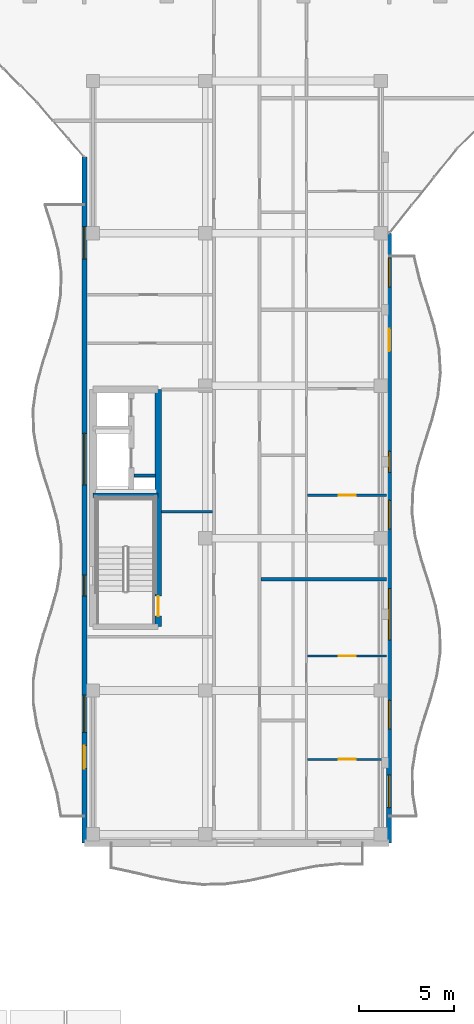
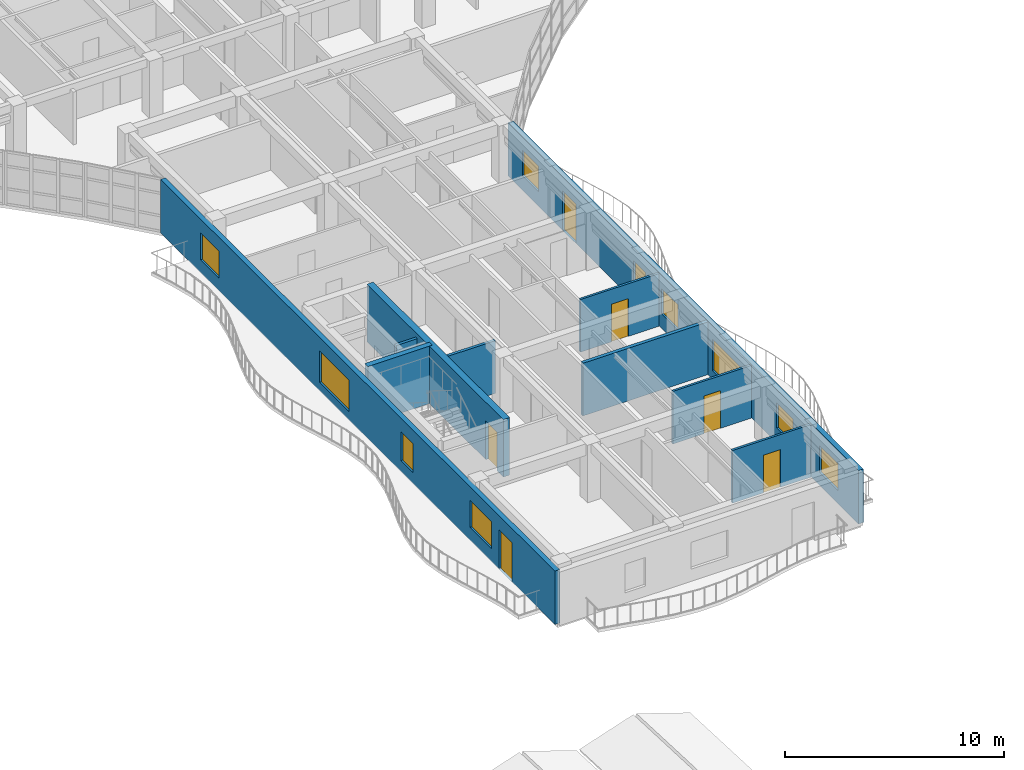
# One storey, part 48 of 89: 10 walls, 10 windows, 6 doors, 16 openings.
"""IFC4 building model written with IfcOpenShell, lengths in metres."""

import ifcopenshell
import ifcopenshell.guid

model = None  # the IFC model being written
_history = None  # IfcOwnerHistory: only IFC2X3 demands one
_inside = {}  # id of a spatial element -> (the spatial element, [elements in it])
_under = {}  # id of a project, library or spatial element -> (it, [spatial elements below it])
_declared = {}  # id of a project -> (the project, [libraries it declares])
_typed = {}  # id of a type object -> (the type object, [elements of that type])
_made_of = {}  # id of a material, layer set ... -> (it, [elements and type objects made of it])


def new_model(schema):
    """Start an empty IFC model of exactly this schema.

    Asked for "IFC4X3", IfcOpenShell would pick the latest addendum, in which some entities
    have other attributes; the version numbers below select the first issue.
    IFC2X3 requires an IfcOwnerHistory on every rooted entity: one is made here for all.
    """
    global model, _history
    if schema == "IFC4X3":
        model = ifcopenshell.file(schema_version=(4, 3, 0, 0))
    else:
        model = ifcopenshell.file(schema=schema)
    _inside.clear()
    _under.clear()
    _declared.clear()
    _typed.clear()
    _made_of.clear()
    _history = None
    if model.schema == "IFC2X3":
        org = make("IfcOrganization", Name="unknown")
        user = make(
            "IfcPersonAndOrganization",
            ThePerson=make("IfcPerson", FamilyName="unknown"),
            TheOrganization=org,
        )
        app = make(
            "IfcApplication",
            ApplicationDeveloper=org,
            Version="unknown",
            ApplicationFullName="unknown",
            ApplicationIdentifier="unknown",
        )
        _history = make(
            "IfcOwnerHistory",
            OwningUser=user,
            OwningApplication=app,
            ChangeAction="ADDED",
            CreationDate=0,
        )
    return model


def make(cls, **values):
    """One entity of the class cls with the attributes given. An attribute that is None is left unset."""
    return model.create_entity(
        cls, **{name: value for name, value in values.items() if value is not None}
    )


def rooted(cls, **values):
    """An entity with a GlobalId (a new one), such as an element, a storey or a relation."""
    return make(cls, GlobalId=ifcopenshell.guid.new(), OwnerHistory=_history, **values)


def si_unit(unit_type, name, prefix=None):
    """IfcSIUnit, for example si_unit("LENGTHUNIT", "METRE", prefix="MILLI")."""
    return make("IfcSIUnit", UnitType=unit_type, Prefix=prefix, Name=name)


def assignment(units):
    """IfcUnitAssignment: the units of a project."""
    return None if units is None else make("IfcUnitAssignment", Units=units)


def point(xyz):
    """IfcCartesianPoint."""
    return None if xyz is None else make("IfcCartesianPoint", Coordinates=xyz)


def direction(xyz):
    """IfcDirection."""
    return None if xyz is None else make("IfcDirection", DirectionRatios=xyz)


def frame(location, z_axis=None, x_axis=None):
    """IfcAxis2Placement3D, a coordinate frame: its origin and axes. An axis left out is left unset."""
    return make(
        "IfcAxis2Placement3D",
        Location=point(location),
        Axis=direction(z_axis),
        RefDirection=direction(x_axis),
    )


def frame_2d(location, x_axis=None):
    """IfcAxis2Placement2D, a coordinate frame in the plane: its origin and x axis."""
    return make(
        "IfcAxis2Placement2D", Location=point(location), RefDirection=direction(x_axis)
    )


def origin():
    """The frame at (0, 0, 0) with its axes left unset."""
    return frame((0.0, 0.0, 0.0))


def place(relative_to, where):
    """IfcLocalPlacement: puts the frame where relative to a parent placement (None: the world)."""
    return make(
        "IfcLocalPlacement", PlacementRelTo=relative_to, RelativePlacement=where
    )


def context(
    kind, dimensions, precision=None, world=None, true_north=None, identifier=None
):
    """IfcGeometricRepresentationContext, for example the 3D "Model" context."""
    return make(
        "IfcGeometricRepresentationContext",
        ContextIdentifier=identifier,
        ContextType=kind,
        CoordinateSpaceDimension=dimensions,
        Precision=precision,
        WorldCoordinateSystem=world,
        TrueNorth=true_north,
    )


def subcontext(parent, identifier, kind, view, scale=None):
    """IfcGeometricRepresentationSubContext, for example "Body" below "Model"."""
    return make(
        "IfcGeometricRepresentationSubContext",
        ContextIdentifier=identifier,
        ContextType=kind,
        ParentContext=parent,
        TargetScale=scale,
        TargetView=view,
    )


def project(units=None, contexts=None):
    """IfcProject with its units and contexts."""
    return rooted(
        "IfcProject",
        Name="project",
        RepresentationContexts=contexts,
        UnitsInContext=assignment(units),
    )


def spatial(cls, under=None, at=None, **own):
    """A site, building, storey or space (cls), placed at a placement, below another one or the project."""
    s = rooted(cls, ObjectPlacement=at, **own)
    if under is not None:
        _under.setdefault(under.id(), (under, []))[1].append(s)
    return s


def profile(cls, at=None, kind="AREA", **sizes):
    """A parametric profile (cls). Its sizes go by their IFC names, for example OverallWidth=200.0."""
    return make(cls, ProfileType=kind, Position=at, **sizes)


def rectangle(**sizes):
    """IfcRectangleProfileDef."""
    return profile("IfcRectangleProfileDef", **sizes)


def extrude(swept, where, along, depth):
    """IfcExtrudedAreaSolid: the profile swept, set in the frame where, extruded along a direction by depth."""
    return make(
        "IfcExtrudedAreaSolid",
        SweptArea=swept,
        Position=where,
        ExtrudedDirection=direction(along),
        Depth=depth,
    )


def shape(context_of_items, identifier, shape_type, items):
    """IfcShapeRepresentation: the items that make up one representation, for example the "Body"."""
    return make(
        "IfcShapeRepresentation",
        ContextOfItems=context_of_items,
        RepresentationIdentifier=identifier,
        RepresentationType=shape_type,
        Items=items,
    )


def material(Name=None, Category=None):
    """IfcMaterial."""
    return make("IfcMaterial", Name=Name, Category=Category)


def layer(
    of_material, thickness, ventilated=None, Name=None, Category=None, Priority=None
):
    """IfcMaterialLayer: one layer of a wall or slab, of a material (None: an air gap)."""
    return make(
        "IfcMaterialLayer",
        Material=of_material,
        LayerThickness=thickness,
        IsVentilated=ventilated,
        Name=Name,
        Category=Category,
        Priority=Priority,
    )


def layer_set(layers, Name=None):
    """IfcMaterialLayerSet."""
    return make("IfcMaterialLayerSet", MaterialLayers=layers, LayerSetName=Name)


def made_of(thing, what):
    """Note that an element or type object is made of a material, layer set ...; save() writes the relation."""
    if what is not None:
        _made_of.setdefault(what.id(), (what, []))[1].append(thing)
    return thing


def type_object(cls, material=None, **own):
    """A type object (cls), such as IfcWallType, which elements share."""
    return made_of(rooted(cls, **own), material)


def element(
    cls,
    number,
    at=None,
    inside=None,
    cuts=None,
    type_object=None,
    material=None,
    context=None,
    identifier="Body",
    shape_type=None,
    held_by="IfcProductDefinitionShape",
    body=None,
    shapes=None,
    **own,
):
    """One element of the class cls, such as IfcWall. Its Tag is "e" and its number.

    at: its placement. inside: the storey or other place that contains it. cuts: it is an
    opening in that element (IfcRelVoidsElement). A single representation is given by context,
    identifier, shape_type and body (its items); several are given by shapes. held_by: the class
    of the entity that holds the representations. save() writes the other relations.
    """
    e = rooted(cls, Tag="e%d" % number, ObjectPlacement=at, **own)
    if body is not None:
        shapes = [shape(context, identifier, shape_type, body)]
    if shapes is not None:
        e.Representation = make(held_by, Representations=shapes)
    if inside is not None:
        _inside.setdefault(inside.id(), (inside, []))[1].append(e)
    if cuts is not None:
        rooted(
            "IfcRelVoidsElement", RelatingBuildingElement=cuts, RelatedOpeningElement=e
        )
    if type_object is not None:
        _typed.setdefault(type_object.id(), (type_object, []))[1].append(e)
    return made_of(e, material)


def fill(opening, filler):
    """IfcRelFillsElement: the door or window that sits in an opening."""
    return rooted(
        "IfcRelFillsElement",
        RelatingOpeningElement=opening,
        RelatedBuildingElement=filler,
    )


def aggregate(whole, parts):
    """IfcRelAggregates: a whole, such as a stair, and the parts it consists of."""
    return rooted("IfcRelAggregates", RelatingObject=whole, RelatedObjects=parts)


def save(model, path):
    """Write the relations noted so far, then the file.

    IfcRelAggregates (storeys below a building ...), IfcRelContainedInSpatialStructure (elements
    in a storey), IfcRelDefinesByType, IfcRelAssociatesMaterial and IfcRelDeclares: one each for
    every whole, place, type object, material and project.
    """
    for whole, parts in _under.values():
        aggregate(whole, parts)
    for where, things in _inside.values():
        rooted(
            "IfcRelContainedInSpatialStructure",
            RelatedElements=things,
            RelatingStructure=where,
        )
    for kind, things in _typed.values():
        rooted("IfcRelDefinesByType", RelatedObjects=things, RelatingType=kind)
    for what, things in _made_of.values():
        rooted("IfcRelAssociatesMaterial", RelatedObjects=things, RelatingMaterial=what)
    for by, libraries in _declared.values():
        rooted("IfcRelDeclares", RelatingContext=by, RelatedDefinitions=libraries)
    model.write(path)


model = new_model("IFC4")

# Units and contexts
model_context = context("Model", 3, precision=1e-05, world=origin(), true_north=direction((0.0, 1.0)))
body_context = subcontext(model_context, "Body", "Model", "MODEL_VIEW")
ifc_project = project(units=[si_unit("LENGTHUNIT", "METRE"), si_unit("AREAUNIT", "SQUARE_METRE"), si_unit("VOLUMEUNIT", "CUBIC_METRE"), si_unit("PLANEANGLEUNIT", "RADIAN"), si_unit("MASSUNIT", "GRAM", prefix="KILO")], contexts=[model_context])

# Site, building, storey
site_placement = place(None, origin())
site = spatial("IfcSite", under=ifc_project, at=site_placement, CompositionType="ELEMENT")
building_placement = place(site_placement, origin())
building = spatial("IfcBuilding", under=site, at=building_placement, Name="Keldmere Railside Commons", CompositionType="ELEMENT")
storey_placement = place(building_placement, frame((0.0, 0.0, 7.360107421875)))
storey = spatial("IfcBuildingStorey", under=building, at=storey_placement, Name="L02", CompositionType="ELEMENT", Elevation=7.360107421875)

# Wall
ifc_material_1 = material(Name="Acoustic Gypsum Board Partition", Category="gypsum")
ifc_layer_1 = layer(ifc_material_1, 0.179931640625, Name="Acoustic Demising Partition 180")
ifc_layer_set_1 = layer_set([ifc_layer_1], Name="Acoustic Gypsum Board Partition")
wall_type_1 = type_object("IfcWallType", Name="Acoustic Demising Partition 180", PredefinedType="PARTITIONING", material=ifc_layer_set_1)
wall_1_placement = place(storey_placement, frame((113.280029296875, 69.830078125, 0.0), z_axis=(0.0, 0.0, 1.0), x_axis=(1.0, 0.0, 0.0)))
element("IfcWall", 1, at=wall_1_placement, inside=storey, type_object=wall_type_1, Name="IW-1 IW-L02-0974", PredefinedType="PARTITIONING", context=body_context, shape_type="SweptSolid", body=[
    extrude(rectangle(XDim=6.590087890625, YDim=0.179931640625, at=frame_2d((3.294921875, 0.0))), origin(), (0.0, 0.0, 1.0), 2.934814453125),
])

# Wall, opening, door
ifc_layer_2 = layer(ifc_material_1, 0.1201171875, Name="Apartment Interior Partition 120")
ifc_layer_set_2 = layer_set([ifc_layer_2], Name="Acoustic Gypsum Board Partition")
wall_type_2 = type_object("IfcWallType", Name="Apartment Interior Partition 120", PredefinedType="PARTITIONING", material=ifc_layer_set_2)
wall_2_placement = place(storey_placement, frame((115.719970703125, 60.3798828125, 0.0), z_axis=(0.0, 0.0, 1.0), x_axis=(1.0, 0.0, 0.0)))
wall_2 = element("IfcWall", 2, at=wall_2_placement, inside=storey, type_object=wall_type_2, Name="IW-4 IW-L02-0979", PredefinedType="PARTITIONING", context=body_context, shape_type="SweptSolid", body=[
    extrude(rectangle(XDim=4.150146484375, YDim=0.1201171875, at=frame_2d((2.0751953125, 0.0))), origin(), (0.0, 0.0, 1.0), 2.934814453125),
])
opening_1_placement = place(wall_2_placement, frame((1.625, 0.0, 0.0)))
opening_1 = element("IfcOpeningElement", 3, at=opening_1_placement, cuts=wall_2, Name="Opening ID-01", PredefinedType="OPENING", context=body_context, shape_type="SweptSolid", body=[
    extrude(rectangle(XDim=0.89990234375, YDim=2.10009765625, at=frame_2d((0.449951171875, 1.050048828125))), frame((0.0, 0.070068359375, 0.0), z_axis=(0.0, -1.0, 0.0), x_axis=(1.0, 0.0, 0.0)), (0.0, 0.0, 1.0), 0.14013671875),
])
ifc_material_2 = material(Name="Engineered Oak Timber", Category="wood")
door_type_1 = type_object("IfcDoorType", Name="Primary Bedroom Door 900x2100", OperationType="NOTDEFINED", PredefinedType="DOOR", material=ifc_material_2)
door_1_placement = place(opening_1_placement, origin())
door_1 = element("IfcDoor", 4, at=door_1_placement, inside=storey, type_object=door_type_1, Name="ID-01 IDR-L02-0846", OperationType="SINGLE_SWING_RIGHT", OverallHeight=2.10009765625, OverallWidth=0.89990234375, PredefinedType="DOOR", context=body_context, shape_type="SweptSolid", body=[
    extrude(rectangle(XDim=0.89990234375, YDim=2.10009765625, at=frame_2d((0.449951171875, 1.050048828125))), frame((0.0, 0.02490234375, 0.0), z_axis=(0.0, -1.0, 0.0), x_axis=(1.0, 0.0, 0.0)), (0.0, 0.0, 1.0), 0.050048828125),
])
fill(opening_1, door_1)

wall_3_placement = place(storey_placement, frame((115.719970703125, 65.81005859375, 0.0), z_axis=(0.0, 0.0, 1.0), x_axis=(1.0, 0.0, 0.0)))
wall_3 = element("IfcWall", 5, at=wall_3_placement, inside=storey, type_object=wall_type_2, Name="IW-4 IW-L02-0980", PredefinedType="PARTITIONING", context=body_context, shape_type="SweptSolid", body=[
    extrude(rectangle(XDim=4.150146484375, YDim=0.1201171875, at=frame_2d((2.0751953125, 0.0))), origin(), (0.0, 0.0, 1.0), 2.934814453125),
])
opening_2_placement = place(wall_3_placement, frame((1.635009765625, 0.0, 0.0)))
opening_2 = element("IfcOpeningElement", 6, at=opening_2_placement, cuts=wall_3, Name="Opening ID-02", PredefinedType="OPENING", context=body_context, shape_type="SweptSolid", body=[
    extrude(rectangle(XDim=0.8798828125, YDim=2.10009765625, at=frame_2d((0.43994140625, 1.050048828125))), frame((0.0, 0.070068359375, 0.0), z_axis=(0.0, -1.0, 0.0), x_axis=(1.0, 0.0, 0.0)), (0.0, 0.0, 1.0), 0.14013671875),
])
door_type_2 = type_object("IfcDoorType", Name="Secondary Bedroom Door 880x2100", OperationType="NOTDEFINED", PredefinedType="DOOR", material=ifc_material_2)
door_2_placement = place(opening_2_placement, origin())
door_2 = element("IfcDoor", 7, at=door_2_placement, inside=storey, type_object=door_type_2, Name="ID-02 IDR-L02-0847", OperationType="SINGLE_SWING_LEFT", OverallHeight=2.10009765625, OverallWidth=0.8798828125, PredefinedType="DOOR", context=body_context, shape_type="SweptSolid", body=[
    extrude(rectangle(XDim=0.8798828125, YDim=2.10009765625, at=frame_2d((0.43994140625, 1.050048828125))), frame((0.0, 0.02490234375, 0.0), z_axis=(0.0, -1.0, 0.0), x_axis=(1.0, 0.0, 0.0)), (0.0, 0.0, 1.0), 0.050048828125),
])
fill(opening_2, door_2)

wall_4_placement = place(storey_placement, frame((115.719970703125, 74.25, 0.0), z_axis=(0.0, 0.0, 1.0), x_axis=(1.0, 0.0, 0.0)))
wall_4 = element("IfcWall", 8, at=wall_4_placement, inside=storey, type_object=wall_type_2, Name="IW-4 IW-L02-0983", PredefinedType="PARTITIONING", context=body_context, shape_type="SweptSolid", body=[
    extrude(rectangle(XDim=4.150146484375, YDim=0.1201171875, at=frame_2d((2.0751953125, 0.0))), origin(), (0.0, 0.0, 1.0), 2.934814453125),
])
opening_3_placement = place(wall_4_placement, frame((1.625, 0.0, 0.0)))
opening_3 = element("IfcOpeningElement", 9, at=opening_3_placement, cuts=wall_4, Name="Opening ID-01", PredefinedType="OPENING", context=body_context, shape_type="SweptSolid", body=[
    extrude(rectangle(XDim=0.89990234375, YDim=2.10009765625, at=frame_2d((0.449951171875, 1.050048828125))), frame((0.0, 0.070068359375, 0.0), z_axis=(0.0, -1.0, 0.0), x_axis=(1.0, 0.0, 0.0)), (0.0, 0.0, 1.0), 0.14013671875),
])
door_3_placement = place(opening_3_placement, origin())
door_3 = element("IfcDoor", 10, at=door_3_placement, inside=storey, type_object=door_type_1, Name="ID-01 IDR-L02-0851", OperationType="SINGLE_SWING_LEFT", OverallHeight=2.10009765625, OverallWidth=0.89990234375, PredefinedType="DOOR", context=body_context, shape_type="SweptSolid", body=[
    extrude(rectangle(XDim=0.89990234375, YDim=2.10009765625, at=frame_2d((0.449951171875, 1.050048828125))), frame((0.0, 0.02490234375, 0.0), z_axis=(0.0, -1.0, 0.0), x_axis=(1.0, 0.0, 0.0)), (0.0, 0.0, 1.0), 0.050048828125),
])
fill(opening_3, door_3)

# Wall
ifc_material_3 = material(Name="Concrete H-35 (C35/45)", Category="concrete")
ifc_layer_3 = layer(ifc_material_3, 0.280029296875, Name="Core Shear Wall 280")
ifc_layer_set_3 = layer_set([ifc_layer_3], Name="Concrete H-35 (C35/45)")
wall_type_3 = type_object("IfcWallType", Name="Core Shear Wall 280", PredefinedType="SHEAR", material=ifc_layer_set_3)
wall_5_placement = place(storey_placement, frame((104.4599609375, 74.239990234375, 0.0), z_axis=(0.0, 0.0, 1.0), x_axis=(1.0, 0.0, 0.0)))
element("IfcWall", 11, at=wall_5_placement, inside=storey, type_object=wall_type_3, Name="CSW-2 COREBM-L02-0460", PredefinedType="SHEAR", context=body_context, shape_type="SweptSolid", body=[
    extrude(rectangle(XDim=3.41015625, YDim=0.280029296875, at=frame_2d((1.705078125, 0.0))), origin(), (0.0, 0.0, 1.0), 3.199951171875),
])

# Wall, opening, door
ifc_layer_4 = layer(ifc_material_3, 0.340087890625, Name="Interior Shear Wall 340")
ifc_layer_set_4 = layer_set([ifc_layer_4], Name="Concrete H-35 (C35/45)")
wall_type_4 = type_object("IfcWallType", Name="Interior Shear Wall 340", PredefinedType="SHEAR", material=ifc_layer_set_4)
wall_6_placement = place(storey_placement, frame((107.8701171875, 79.800048828125, 0.0), z_axis=(0.0, 0.0, 1.0), x_axis=(0.0, -1.0, 0.0)))
wall_6 = element("IfcWall", 12, at=wall_6_placement, inside=storey, type_object=wall_type_4, Name="ISW-1 COREBE-L02-0458", PredefinedType="SHEAR", context=body_context, shape_type="SweptSolid", body=[
    extrude(rectangle(XDim=12.449951171875, YDim=0.340087890625, at=frame_2d((6.22509765625, 0.0))), origin(), (0.0, 0.0, 1.0), 3.199951171875),
])
opening_4_placement = place(wall_6_placement, frame((10.85009765625, 0.0, 0.0)))
opening_4 = element("IfcOpeningElement", 13, at=opening_4_placement, cuts=wall_6, Name="Opening FD-1", PredefinedType="OPENING", context=body_context, shape_type="SweptSolid", body=[
    extrude(rectangle(XDim=1.050048828125, YDim=2.14990234375, at=frame_2d((0.52490234375, 1.074951171875))), frame((0.0, 0.179931640625, 0.0), z_axis=(0.0, -1.0, 0.0), x_axis=(1.0, 0.0, 0.0)), (0.0, 0.0, 1.0), 0.360107421875),
])
ifc_material_4 = material(Name="Steel F-24 (S235)", Category="steel")
door_type_3 = type_object("IfcDoorType", Name="Stair Core Fire Door 1050x2150", OperationType="NOTDEFINED", PredefinedType="DOOR", material=ifc_material_4)
door_4_placement = place(opening_4_placement, origin())
door_4 = element("IfcDoor", 14, at=door_4_placement, inside=storey, type_object=door_type_3, Name="FD-1 B1 L02", OperationType="SINGLE_SWING_LEFT", OverallHeight=2.14990234375, OverallWidth=1.050048828125, PredefinedType="DOOR", context=body_context, shape_type="SweptSolid", body=[
    extrude(rectangle(XDim=1.050048828125, YDim=2.14990234375, at=frame_2d((0.52490234375, 1.074951171875))), frame((0.0, 0.02490234375, 0.0), z_axis=(0.0, -1.0, 0.0), x_axis=(1.0, 0.0, 0.0)), (0.0, 0.0, 1.0), 0.050048828125),
])
fill(opening_4, door_4)

# Walls
ifc_layer_5 = layer(ifc_material_1, 0.14990234375, Name="Lobby Rated Partition 150")
ifc_layer_set_5 = layer_set([ifc_layer_5], Name="Acoustic Gypsum Board Partition")
wall_type_5 = type_object("IfcWallType", Name="Lobby Rated Partition 150", PredefinedType="PARTITIONING", material=ifc_layer_set_5)
wall_7_placement = place(storey_placement, frame((106.60009765625, 75.280029296875, 0.0), z_axis=(0.0, 0.0, 1.0), x_axis=(1.0, 0.0, 0.0)))
element("IfcWall", 15, at=wall_7_placement, inside=storey, type_object=wall_type_5, Name="IW-3 RSRNB-L02-0463", PredefinedType="PARTITIONING", context=body_context, shape_type="SweptSolid", body=[
    extrude(rectangle(XDim=1.1298828125, YDim=0.14990234375, at=frame_2d((0.56494140625, 0.0))), origin(), (0.0, 0.0, 1.0), 2.949951171875),
])
wall_8_placement = place(storey_placement, frame((108.0400390625, 73.3798828125, 0.0), z_axis=(0.0, 0.0, 1.0), x_axis=(1.0, 0.0, 0.0)))
element("IfcWall", 16, at=wall_8_placement, inside=storey, type_object=wall_type_5, Name="IW-3 IW-L02-0963", PredefinedType="PARTITIONING", context=body_context, shape_type="SweptSolid", body=[
    extrude(rectangle(XDim=2.679931640625, YDim=0.14990234375, at=frame_2d((1.33984375, 0.0))), origin(), (0.0, 0.0, 1.0), 2.934814453125),
])

# Wall, openings, door, windows
ifc_material_5 = material(Name="Terracotta Brick Masonry", Category="masonry")
ifc_layer_6 = layer(ifc_material_5, 0.260009765625, Name="Terracotta Cavity Wall 260")
ifc_layer_set_6 = layer_set([ifc_layer_6], Name="Terracotta Brick Masonry")
wall_type_6 = type_object("IfcWallType", Name="Terracotta Cavity Wall 260", PredefinedType="SOLIDWALL", material=ifc_layer_set_6)
wall_9_placement = place(storey_placement, frame((120.0, 88.0, 0.0), z_axis=(0.0, 0.0, 1.0), x_axis=(0.0, -1.0, 0.0)))
wall_9 = element("IfcWall", 17, at=wall_9_placement, inside=storey, type_object=wall_type_6, Name="EW-1 EXTB-L02-0594", PredefinedType="SOLIDWALL", context=body_context, shape_type="SweptSolid", body=[
    extrude(rectangle(XDim=32.0, YDim=0.260009765625, at=frame_2d((16.0, 0.0))), origin(), (0.0, 0.0, 1.0), 2.97998046875),
])
opening_5_placement = place(wall_9_placement, frame((5.0, 0.0, 0.0)))
opening_5 = element("IfcOpeningElement", 18, at=opening_5_placement, cuts=wall_9, Name="Opening BD-01", PredefinedType="OPENING", context=body_context, shape_type="SweptSolid", body=[
    extrude(rectangle(XDim=1.199951171875, YDim=2.199951171875, at=frame_2d((0.60009765625, 1.10009765625))), frame((0.0, 0.139892578125, 0.0), z_axis=(0.0, -1.0, 0.0), x_axis=(1.0, 0.0, 0.0)), (0.0, 0.0, 1.0), 0.280029296875),
])
opening_6_placement = place(wall_9_placement, frame((11.449951171875, 0.0, 0.6201171875)))
opening_6 = element("IfcOpeningElement", 19, at=opening_6_placement, cuts=wall_9, Name="Opening WN-16", PredefinedType="OPENING", context=body_context, shape_type="SweptSolid", body=[
    extrude(rectangle(XDim=1.10009765625, YDim=1.60009765625, at=frame_2d((0.550048828125, 0.800048828125))), frame((0.0, 0.139892578125, 0.0), z_axis=(0.0, -1.0, 0.0), x_axis=(1.0, 0.0, 0.0)), (0.0, 0.0, 1.0), 0.280029296875),
])
opening_7_placement = place(wall_9_placement, frame((18.64990234375, 0.0, 0.469970703125)))
opening_7 = element("IfcOpeningElement", 20, at=opening_7_placement, cuts=wall_9, Name="Opening WN-19", PredefinedType="OPENING", context=body_context, shape_type="SweptSolid", body=[
    extrude(rectangle(XDim=2.699951171875, YDim=1.75, at=frame_2d((1.35009765625, 0.875))), frame((0.0, 0.139892578125, 0.0), z_axis=(0.0, -1.0, 0.0), x_axis=(1.0, 0.0, 0.0)), (0.0, 0.0, 1.0), 0.280029296875),
])
opening_8_placement = place(wall_9_placement, frame((28.449951171875, 0.0, 0.719970703125)))
opening_8 = element("IfcOpeningElement", 21, at=opening_8_placement, cuts=wall_9, Name="Opening WN-20", PredefinedType="OPENING", context=body_context, shape_type="SweptSolid", body=[
    extrude(rectangle(XDim=1.699951171875, YDim=1.5, at=frame_2d((0.85009765625, 0.75))), frame((0.0, 0.139892578125, 0.0), z_axis=(0.0, -1.0, 0.0), x_axis=(1.0, 0.0, 0.0)), (0.0, 0.0, 1.0), 0.280029296875),
])
opening_9_placement = place(wall_9_placement, frame((24.5185546875, 0.0, 0.820068359375)))
opening_9 = element("IfcOpeningElement", 22, at=opening_9_placement, cuts=wall_9, Name="Opening WN-06", PredefinedType="OPENING", context=body_context, shape_type="SweptSolid", body=[
    extrude(rectangle(XDim=1.5, YDim=1.39990234375, at=frame_2d((0.75, 0.699951171875))), frame((0.0, 0.139892578125, 0.0), z_axis=(0.0, -1.0, 0.0), x_axis=(1.0, 0.0, 0.0)), (0.0, 0.0, 1.0), 0.280029296875),
])
opening_10_placement = place(wall_9_placement, frame((14.020751953125, 0.0, 0.820068359375)))
opening_10 = element("IfcOpeningElement", 23, at=opening_10_placement, cuts=wall_9, Name="Opening WN-06", PredefinedType="OPENING", context=body_context, shape_type="SweptSolid", body=[
    extrude(rectangle(XDim=1.5, YDim=1.39990234375, at=frame_2d((0.75, 0.699951171875))), frame((0.0, 0.139892578125, 0.0), z_axis=(0.0, -1.0, 0.0), x_axis=(1.0, 0.0, 0.0)), (0.0, 0.0, 1.0), 0.280029296875),
])
opening_11_placement = place(wall_9_placement, frame((1.304931640625, 0.0, 0.820068359375)))
opening_11 = element("IfcOpeningElement", 24, at=opening_11_placement, cuts=wall_9, Name="Opening WN-06", PredefinedType="OPENING", context=body_context, shape_type="SweptSolid", body=[
    extrude(rectangle(XDim=1.5, YDim=1.39990234375, at=frame_2d((0.75, 0.699951171875))), frame((0.0, 0.139892578125, 0.0), z_axis=(0.0, -1.0, 0.0), x_axis=(1.0, 0.0, 0.0)), (0.0, 0.0, 1.0), 0.280029296875),
])
ifc_material_6 = material(Name="Thermally Broken Aluminium", Category="aluminium")
door_type_4 = type_object("IfcDoorType", Name="Apartment Living Wave-Balcony Glazed Door 1200x2200", OperationType="NOTDEFINED", PredefinedType="DOOR", material=ifc_material_6)
door_5_placement = place(opening_5_placement, origin())
door_5 = element("IfcDoor", 25, at=door_5_placement, inside=storey, type_object=door_type_4, Name="BD-01 DR-L02-0137", OperationType="SINGLE_SWING_LEFT", OverallHeight=2.199951171875, OverallWidth=1.199951171875, PredefinedType="DOOR", context=body_context, shape_type="SweptSolid", body=[
    extrude(rectangle(XDim=1.199951171875, YDim=2.199951171875, at=frame_2d((0.60009765625, 1.10009765625))), frame((0.0, 0.02490234375, 0.0), z_axis=(0.0, -1.0, 0.0), x_axis=(1.0, 0.0, 0.0)), (0.0, 0.0, 1.0), 0.050048828125),
])
fill(opening_5, door_5)
ifc_material_7 = material(Name="Low-E Insulated Double Glazing", Category="glass")
window_type_1 = type_object("IfcWindowType", Name="Corridor End Daylight Window 1100x1600", PartitioningType="SINGLE_PANEL", PredefinedType="WINDOW", material=ifc_material_7)
window_1_placement = place(opening_6_placement, origin())
window_1 = element("IfcWindow", 26, at=window_1_placement, inside=storey, type_object=window_type_1, Name="WN-16 WIN-L02-0384", OverallHeight=1.60009765625, OverallWidth=1.10009765625, PartitioningType="SINGLE_PANEL", PredefinedType="WINDOW", context=body_context, shape_type="SweptSolid", body=[
    extrude(rectangle(XDim=1.10009765625, YDim=1.60009765625, at=frame_2d((0.550048828125, 0.800048828125))), frame((0.0, 0.030029296875, 0.0), z_axis=(0.0, -1.0, 0.0), x_axis=(1.0, 0.0, 0.0)), (0.0, 0.0, 1.0), 0.06005859375),
])
fill(opening_6, window_1)
window_type_2 = type_object("IfcWindowType", Name="Primary Bedroom North Window 1500x1400", PartitioningType="SINGLE_PANEL", PredefinedType="WINDOW", material=ifc_material_7)
window_2_placement = place(opening_9_placement, origin())
window_2 = element("IfcWindow", 27, at=window_2_placement, inside=storey, type_object=window_type_2, Name="WN-06 WIN-L02-9014", OverallHeight=1.39990234375, OverallWidth=1.5, PartitioningType="SINGLE_PANEL", PredefinedType="WINDOW", context=body_context, shape_type="SweptSolid", body=[
    extrude(rectangle(XDim=1.5, YDim=1.39990234375, at=frame_2d((0.75, 0.699951171875))), frame((0.0, 0.030029296875, 0.0), z_axis=(0.0, -1.0, 0.0), x_axis=(1.0, 0.0, 0.0)), (0.0, 0.0, 1.0), 0.06005859375),
])
fill(opening_9, window_2)
window_3_placement = place(opening_10_placement, origin())
window_3 = element("IfcWindow", 28, at=window_3_placement, inside=storey, type_object=window_type_2, Name="WN-06 WIN-L02-9015", OverallHeight=1.39990234375, OverallWidth=1.5, PartitioningType="SINGLE_PANEL", PredefinedType="WINDOW", context=body_context, shape_type="SweptSolid", body=[
    extrude(rectangle(XDim=1.5, YDim=1.39990234375, at=frame_2d((0.75, 0.699951171875))), frame((0.0, 0.030029296875, 0.0), z_axis=(0.0, -1.0, 0.0), x_axis=(1.0, 0.0, 0.0)), (0.0, 0.0, 1.0), 0.06005859375),
])
fill(opening_10, window_3)
window_4_placement = place(opening_11_placement, origin())
window_4 = element("IfcWindow", 29, at=window_4_placement, inside=storey, type_object=window_type_2, Name="WN-06 WIN-L02-9016", OverallHeight=1.39990234375, OverallWidth=1.5, PartitioningType="SINGLE_PANEL", PredefinedType="WINDOW", context=body_context, shape_type="SweptSolid", body=[
    extrude(rectangle(XDim=1.5, YDim=1.39990234375, at=frame_2d((0.75, 0.699951171875))), frame((0.0, 0.030029296875, 0.0), z_axis=(0.0, -1.0, 0.0), x_axis=(1.0, 0.0, 0.0)), (0.0, 0.0, 1.0), 0.06005859375),
])
fill(opening_11, window_4)
window_type_3 = type_object("IfcWindowType", Name="Resident Lounge Panorama Window 2700x1750", PartitioningType="SINGLE_PANEL", PredefinedType="WINDOW", material=ifc_material_7)
window_5_placement = place(opening_7_placement, origin())
window_5 = element("IfcWindow", 30, at=window_5_placement, inside=storey, type_object=window_type_3, Name="WN-19 WIN-L02-0385", OverallHeight=1.75, OverallWidth=2.699951171875, PartitioningType="SINGLE_PANEL", PredefinedType="WINDOW", context=body_context, shape_type="SweptSolid", body=[
    extrude(rectangle(XDim=2.699951171875, YDim=1.75, at=frame_2d((1.35009765625, 0.875))), frame((0.0, 0.030029296875, 0.0), z_axis=(0.0, -1.0, 0.0), x_axis=(1.0, 0.0, 0.0)), (0.0, 0.0, 1.0), 0.06005859375),
])
fill(opening_7, window_5)
window_type_4 = type_object("IfcWindowType", Name="Study Room Quiet Casement Window 1700x1500", PartitioningType="SINGLE_PANEL", PredefinedType="WINDOW", material=ifc_material_7)
window_6_placement = place(opening_8_placement, origin())
window_6 = element("IfcWindow", 31, at=window_6_placement, inside=storey, type_object=window_type_4, Name="WN-20 WIN-L02-0386", OverallHeight=1.5, OverallWidth=1.699951171875, PartitioningType="SINGLE_PANEL", PredefinedType="WINDOW", context=body_context, shape_type="SweptSolid", body=[
    extrude(rectangle(XDim=1.699951171875, YDim=1.5, at=frame_2d((0.85009765625, 0.75))), frame((0.0, 0.030029296875, 0.0), z_axis=(0.0, -1.0, 0.0), x_axis=(1.0, 0.0, 0.0)), (0.0, 0.0, 1.0), 0.06005859375),
])
fill(opening_8, window_6)

# Wall, openings, windows, door
wall_10_placement = place(storey_placement, frame((104.0, 56.0, 0.0), z_axis=(0.0, 0.0, 1.0), x_axis=(0.0, 1.0, 0.0)))
wall_10 = element("IfcWall", 32, at=wall_10_placement, inside=storey, type_object=wall_type_6, Name="EW-1 EXTB-L02-0600", PredefinedType="SOLIDWALL", context=body_context, shape_type="SweptSolid", body=[
    extrude(rectangle(XDim=36.0, YDim=0.260009765625, at=frame_2d((18.0, 0.0))), origin(), (0.0, 0.0, 1.0), 2.97998046875),
])
opening_12_placement = place(wall_10_placement, frame((3.89990234375, 0.0, 0.0)))
opening_12 = element("IfcOpeningElement", 33, at=opening_12_placement, cuts=wall_10, Name="Opening BD-01", PredefinedType="OPENING", context=body_context, shape_type="SweptSolid", body=[
    extrude(rectangle(XDim=1.199951171875, YDim=2.199951171875, at=frame_2d((0.60009765625, 1.10009765625))), frame((0.0, 0.139892578125, 0.0), z_axis=(0.0, -1.0, 0.0), x_axis=(1.0, 0.0, 0.0)), (0.0, 0.0, 1.0), 0.280029296875),
])
opening_13_placement = place(wall_10_placement, frame((5.800048828125, 0.0, 0.719970703125)))
opening_13 = element("IfcOpeningElement", 34, at=opening_13_placement, cuts=wall_10, Name="Opening WN-38", PredefinedType="OPENING", context=body_context, shape_type="SweptSolid", body=[
    extrude(rectangle(XDim=1.949951171875, YDim=1.5, at=frame_2d((0.97509765625, 0.75))), frame((0.0, 0.139892578125, 0.0), z_axis=(0.0, -1.0, 0.0), x_axis=(1.0, 0.0, 0.0)), (0.0, 0.0, 1.0), 0.280029296875),
])
opening_14_placement = place(wall_10_placement, frame((12.949951171875, 0.0, 0.6201171875)))
opening_14 = element("IfcOpeningElement", 35, at=opening_14_placement, cuts=wall_10, Name="Opening WN-16", PredefinedType="OPENING", context=body_context, shape_type="SweptSolid", body=[
    extrude(rectangle(XDim=1.10009765625, YDim=1.60009765625, at=frame_2d((0.550048828125, 0.800048828125))), frame((0.0, 0.139892578125, 0.0), z_axis=(0.0, -1.0, 0.0), x_axis=(1.0, 0.0, 0.0)), (0.0, 0.0, 1.0), 0.280029296875),
])
opening_15_placement = place(wall_10_placement, frame((18.800048828125, 0.0, 0.469970703125)))
opening_15 = element("IfcOpeningElement", 36, at=opening_15_placement, cuts=wall_10, Name="Opening WN-19", PredefinedType="OPENING", context=body_context, shape_type="SweptSolid", body=[
    extrude(rectangle(XDim=2.699951171875, YDim=1.75, at=frame_2d((1.35009765625, 0.875))), frame((0.0, 0.139892578125, 0.0), z_axis=(0.0, -1.0, 0.0), x_axis=(1.0, 0.0, 0.0)), (0.0, 0.0, 1.0), 0.280029296875),
])
opening_16_placement = place(wall_10_placement, frame((30.64990234375, 0.0, 0.719970703125)))
opening_16 = element("IfcOpeningElement", 37, at=opening_16_placement, cuts=wall_10, Name="Opening WN-20", PredefinedType="OPENING", context=body_context, shape_type="SweptSolid", body=[
    extrude(rectangle(XDim=1.699951171875, YDim=1.5, at=frame_2d((0.85009765625, 0.75))), frame((0.0, 0.139892578125, 0.0), z_axis=(0.0, -1.0, 0.0), x_axis=(1.0, 0.0, 0.0)), (0.0, 0.0, 1.0), 0.280029296875),
])
window_type_5 = type_object("IfcWindowType", Name="Adaptable Apartment Wide Window 1950x1500", PartitioningType="SINGLE_PANEL", PredefinedType="WINDOW", material=ifc_material_7)
window_7_placement = place(opening_13_placement, origin())
window_7 = element("IfcWindow", 38, at=window_7_placement, inside=storey, type_object=window_type_5, Name="WN-38 WIN-L02-0396", OverallHeight=1.5, OverallWidth=1.949951171875, PartitioningType="SINGLE_PANEL", PredefinedType="WINDOW", context=body_context, shape_type="SweptSolid", body=[
    extrude(rectangle(XDim=1.949951171875, YDim=1.5, at=frame_2d((0.97509765625, 0.75))), frame((0.0, 0.030029296875, 0.0), z_axis=(0.0, -1.0, 0.0), x_axis=(1.0, 0.0, 0.0)), (0.0, 0.0, 1.0), 0.06005859375),
])
fill(opening_13, window_7)
door_6_placement = place(opening_12_placement, origin())
door_6 = element("IfcDoor", 39, at=door_6_placement, inside=storey, type_object=door_type_4, Name="BD-01 DR-L02-0143", OperationType="SINGLE_SWING_LEFT", OverallHeight=2.199951171875, OverallWidth=1.199951171875, PredefinedType="DOOR", context=body_context, shape_type="SweptSolid", body=[
    extrude(rectangle(XDim=1.199951171875, YDim=2.199951171875, at=frame_2d((0.60009765625, 1.10009765625))), frame((0.0, 0.02490234375, 0.0), z_axis=(0.0, -1.0, 0.0), x_axis=(1.0, 0.0, 0.0)), (0.0, 0.0, 1.0), 0.050048828125),
])
fill(opening_12, door_6)
window_8_placement = place(opening_14_placement, origin())
window_8 = element("IfcWindow", 40, at=window_8_placement, inside=storey, type_object=window_type_1, Name="WN-16 WIN-L02-0397", OverallHeight=1.60009765625, OverallWidth=1.10009765625, PartitioningType="SINGLE_PANEL", PredefinedType="WINDOW", context=body_context, shape_type="SweptSolid", body=[
    extrude(rectangle(XDim=1.10009765625, YDim=1.60009765625, at=frame_2d((0.550048828125, 0.800048828125))), frame((0.0, 0.030029296875, 0.0), z_axis=(0.0, -1.0, 0.0), x_axis=(1.0, 0.0, 0.0)), (0.0, 0.0, 1.0), 0.06005859375),
])
fill(opening_14, window_8)
window_9_placement = place(opening_15_placement, origin())
window_9 = element("IfcWindow", 41, at=window_9_placement, inside=storey, type_object=window_type_3, Name="WN-19 WIN-L02-0398", OverallHeight=1.75, OverallWidth=2.699951171875, PartitioningType="SINGLE_PANEL", PredefinedType="WINDOW", context=body_context, shape_type="SweptSolid", body=[
    extrude(rectangle(XDim=2.699951171875, YDim=1.75, at=frame_2d((1.35009765625, 0.875))), frame((0.0, 0.030029296875, 0.0), z_axis=(0.0, -1.0, 0.0), x_axis=(1.0, 0.0, 0.0)), (0.0, 0.0, 1.0), 0.06005859375),
])
fill(opening_15, window_9)
window_10_placement = place(opening_16_placement, origin())
window_10 = element("IfcWindow", 42, at=window_10_placement, inside=storey, type_object=window_type_4, Name="WN-20 WIN-L02-0399", OverallHeight=1.5, OverallWidth=1.699951171875, PartitioningType="SINGLE_PANEL", PredefinedType="WINDOW", context=body_context, shape_type="SweptSolid", body=[
    extrude(rectangle(XDim=1.699951171875, YDim=1.5, at=frame_2d((0.85009765625, 0.75))), frame((0.0, 0.030029296875, 0.0), z_axis=(0.0, -1.0, 0.0), x_axis=(1.0, 0.0, 0.0)), (0.0, 0.0, 1.0), 0.06005859375),
])
fill(opening_16, window_10)

save(model, "model.ifc")
